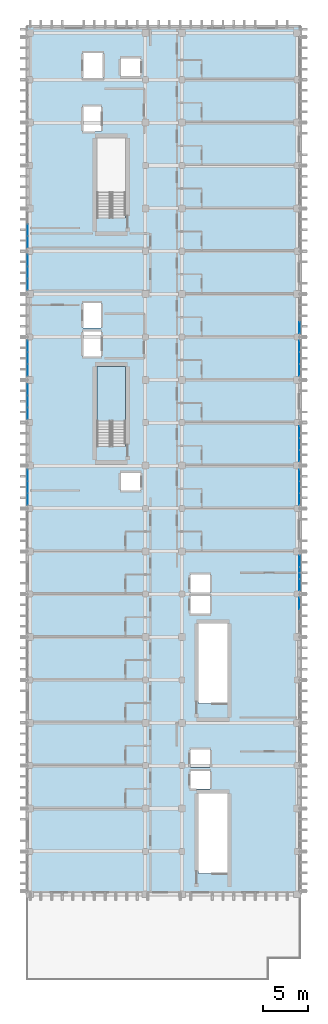
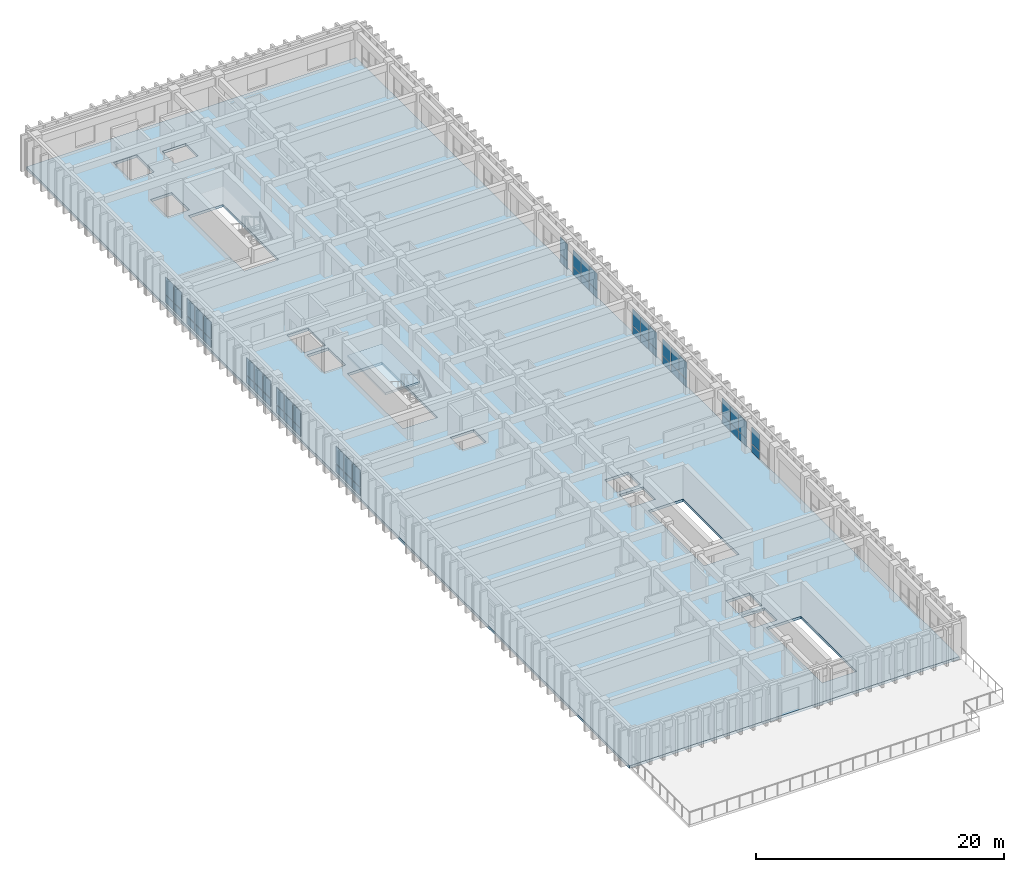
# One storey, part 53 of 68: 56 plates, 2 slabs, 12 elements without a shape of their own.
"""IFC4 building model written with IfcOpenShell, lengths in metres."""

from ifc_helpers import new_model, si_unit, direction, frame, origin, origin_2d, place, context, subcontext, project, spatial, polyline, rectangle, outline, extrude, material, layer, layer_set, type_object, element, aggregate, save


model = new_model("IFC4")

# Units and contexts
model_context = context("Model", 3, precision=1e-05, world=origin(), true_north=direction((0.0, 1.0)))
body_context = subcontext(model_context, "Body", "Model", "MODEL_VIEW")
ifc_project = project(units=[si_unit("LENGTHUNIT", "METRE"), si_unit("AREAUNIT", "SQUARE_METRE"), si_unit("VOLUMEUNIT", "CUBIC_METRE"), si_unit("PLANEANGLEUNIT", "RADIAN"), si_unit("MASSUNIT", "GRAM", prefix="KILO")], contexts=[model_context])

# Site, building, storey
site_placement = place(None, origin())
site = spatial("IfcSite", under=ifc_project, at=site_placement, CompositionType="ELEMENT")
building_placement = place(site_placement, origin())
building = spatial("IfcBuilding", under=site, at=building_placement, Name="Nakhvara Creek Congress Hotel", CompositionType="ELEMENT")
storey_placement = place(building_placement, frame((0.0, 0.0, 24.60009765625)))
storey = spatial("IfcBuildingStorey", under=building, at=storey_placement, Name="L05", CompositionType="ELEMENT", Elevation=24.60009765625)

# Curtain wall, plates
ifc_material_1 = material(Name="Bronze-anodised aluminium AW-6063-T6 and double-silver low-E glass", Category="aluminium")
ifc_layer_1 = layer(ifc_material_1, 0.199951171875)
ifc_layer_set_1 = layer_set([ifc_layer_1], Name="Bronze-anodised aluminium AW-6063-T6 and double-silver low-E glass")
curtain_wall_type = type_object("IfcCurtainWallType", Name="CW-HTL-UNIT", PredefinedType="USERDEFINED", material=ifc_layer_set_1)
curtain_wall_1_placement = place(storey_placement, origin())
curtain_wall_1 = element("IfcCurtainWall", 1, at=curtain_wall_1_placement, inside=storey, type_object=curtain_wall_type, Name="Curtain Wall CW210", ObjectType="UNITISED", PredefinedType="USERDEFINED")
ifc_material_2 = material(Name="Double-silver solar-control low-E insulated glass", Category="glass")
plate_type_1 = type_object("IfcPlateType", Name="PNL-GLZ-120X250", PredefinedType="CURTAIN_PANEL", material=ifc_material_2)
plate_1_placement = place(storey_placement, frame((179.60009765625, 61.35546875, 0.06494140625), z_axis=(0.0, 0.0, 1.0), x_axis=(0.0, -1.0, 0.0)))
plate_1 = element("IfcPlate", 2, at=plate_1_placement, type_object=plate_type_1, Name="CW210 panel 1.1", PredefinedType="CURTAIN_PANEL", context=body_context, shape_type="SweptSolid", body=[
    extrude(rectangle(XDim=1.249267578125, YDim=0.028076171875, at=origin_2d()), origin(), (0.0, 0.0, 1.0), 0.75244140625),
])
plate_2_placement = place(storey_placement, frame((179.60009765625, 61.35546875, 0.88232421875), z_axis=(0.0, 0.0, 1.0), x_axis=(0.0, -1.0, 0.0)))
plate_2 = element("IfcPlate", 3, at=plate_2_placement, type_object=plate_type_1, Name="CW210 panel 1.2", PredefinedType="CURTAIN_PANEL", context=body_context, shape_type="SweptSolid", body=[
    extrude(rectangle(XDim=1.249267578125, YDim=0.028076171875, at=origin_2d()), origin(), (0.0, 0.0, 1.0), 1.634521484375),
])
aggregate(curtain_wall_1, [plate_1, plate_2])

curtain_wall_2_placement = place(storey_placement, origin())
curtain_wall_2 = element("IfcCurtainWall", 4, at=curtain_wall_2_placement, inside=storey, type_object=curtain_wall_type, Name="Curtain Wall CW214", ObjectType="UNITISED", PredefinedType="USERDEFINED")
plate_3_placement = place(storey_placement, frame((179.60009765625, 75.705322265625, 0.06494140625), z_axis=(0.0, 0.0, 1.0), x_axis=(0.0, -1.0, 0.0)))
plate_3 = element("IfcPlate", 5, at=plate_3_placement, type_object=plate_type_1, Name="CW214 panel 1.1", PredefinedType="CURTAIN_PANEL", context=body_context, shape_type="SweptSolid", body=[
    extrude(rectangle(XDim=1.249267578125, YDim=0.028076171875, at=origin_2d()), origin(), (0.0, 0.0, 1.0), 0.75244140625),
])
plate_4_placement = place(storey_placement, frame((179.60009765625, 75.705322265625, 0.88232421875), z_axis=(0.0, 0.0, 1.0), x_axis=(0.0, -1.0, 0.0)))
plate_4 = element("IfcPlate", 6, at=plate_4_placement, type_object=plate_type_1, Name="CW214 panel 1.2", PredefinedType="CURTAIN_PANEL", context=body_context, shape_type="SweptSolid", body=[
    extrude(rectangle(XDim=1.249267578125, YDim=0.028076171875, at=origin_2d()), origin(), (0.0, 0.0, 1.0), 1.634521484375),
])
plate_5_placement = place(storey_placement, frame((179.60009765625, 74.375, 0.06494140625), z_axis=(0.0, 0.0, 1.0), x_axis=(0.0, -1.0, 0.0)))
plate_5 = element("IfcPlate", 7, at=plate_5_placement, type_object=plate_type_1, Name="CW214 panel 2.1", PredefinedType="CURTAIN_PANEL", context=body_context, shape_type="SweptSolid", body=[
    extrude(rectangle(XDim=1.28173828125, YDim=0.028076171875, at=origin_2d()), origin(), (0.0, 0.0, 1.0), 0.75244140625),
])
plate_6_placement = place(storey_placement, frame((179.60009765625, 74.375, 0.88232421875), z_axis=(0.0, 0.0, 1.0), x_axis=(0.0, -1.0, 0.0)))
plate_6 = element("IfcPlate", 8, at=plate_6_placement, type_object=plate_type_1, Name="CW214 panel 2.2", PredefinedType="CURTAIN_PANEL", context=body_context, shape_type="SweptSolid", body=[
    extrude(rectangle(XDim=1.28173828125, YDim=0.028076171875, at=origin_2d()), origin(), (0.0, 0.0, 1.0), 1.634521484375),
])
plate_7_placement = place(storey_placement, frame((179.60009765625, 73.044677734375, 0.06494140625), z_axis=(0.0, 0.0, 1.0), x_axis=(0.0, -1.0, 0.0)))
plate_7 = element("IfcPlate", 9, at=plate_7_placement, type_object=plate_type_1, Name="CW214 panel 3.1", PredefinedType="CURTAIN_PANEL", context=body_context, shape_type="SweptSolid", body=[
    extrude(rectangle(XDim=1.249267578125, YDim=0.028076171875, at=origin_2d()), origin(), (0.0, 0.0, 1.0), 0.75244140625),
])
plate_8_placement = place(storey_placement, frame((179.60009765625, 73.044677734375, 0.88232421875), z_axis=(0.0, 0.0, 1.0), x_axis=(0.0, -1.0, 0.0)))
plate_8 = element("IfcPlate", 10, at=plate_8_placement, type_object=plate_type_1, Name="CW214 panel 3.2", PredefinedType="CURTAIN_PANEL", context=body_context, shape_type="SweptSolid", body=[
    extrude(rectangle(XDim=1.249267578125, YDim=0.028076171875, at=origin_2d()), origin(), (0.0, 0.0, 1.0), 1.634521484375),
])
aggregate(curtain_wall_2, [plate_3, plate_4, plate_5, plate_6, plate_7, plate_8])

curtain_wall_3_placement = place(storey_placement, origin())
curtain_wall_3 = element("IfcCurtainWall", 11, at=curtain_wall_3_placement, inside=storey, type_object=curtain_wall_type, Name="Curtain Wall CW215", ObjectType="UNITISED", PredefinedType="USERDEFINED")
plate_9_placement = place(storey_placement, frame((149.199951171875, 73.044677734375, 0.06494140625), z_axis=(0.0, 0.0, 1.0), x_axis=(0.0, 1.0, 0.0)))
plate_9 = element("IfcPlate", 12, at=plate_9_placement, type_object=plate_type_1, Name="CW215 panel 1.1", PredefinedType="CURTAIN_PANEL", context=body_context, shape_type="SweptSolid", body=[
    extrude(rectangle(XDim=1.249267578125, YDim=0.028076171875, at=origin_2d()), origin(), (0.0, 0.0, 1.0), 0.75244140625),
])
plate_10_placement = place(storey_placement, frame((149.199951171875, 73.044677734375, 0.88232421875), z_axis=(0.0, 0.0, 1.0), x_axis=(0.0, 1.0, 0.0)))
plate_10 = element("IfcPlate", 13, at=plate_10_placement, type_object=plate_type_1, Name="CW215 panel 1.2", PredefinedType="CURTAIN_PANEL", context=body_context, shape_type="SweptSolid", body=[
    extrude(rectangle(XDim=1.249267578125, YDim=0.028076171875, at=origin_2d()), origin(), (0.0, 0.0, 1.0), 1.6845703125),
])
plate_11_placement = place(storey_placement, frame((149.199951171875, 74.375, 0.06494140625), z_axis=(0.0, 0.0, 1.0), x_axis=(0.0, 1.0, 0.0)))
plate_11 = element("IfcPlate", 14, at=plate_11_placement, type_object=plate_type_1, Name="CW215 panel 2.1", PredefinedType="CURTAIN_PANEL", context=body_context, shape_type="SweptSolid", body=[
    extrude(rectangle(XDim=1.28173828125, YDim=0.028076171875, at=origin_2d()), origin(), (0.0, 0.0, 1.0), 0.75244140625),
])
plate_12_placement = place(storey_placement, frame((149.199951171875, 74.375, 0.88232421875), z_axis=(0.0, 0.0, 1.0), x_axis=(0.0, 1.0, 0.0)))
plate_12 = element("IfcPlate", 15, at=plate_12_placement, type_object=plate_type_1, Name="CW215 panel 2.2", PredefinedType="CURTAIN_PANEL", context=body_context, shape_type="SweptSolid", body=[
    extrude(rectangle(XDim=1.28173828125, YDim=0.028076171875, at=origin_2d()), origin(), (0.0, 0.0, 1.0), 1.6845703125),
])
plate_13_placement = place(storey_placement, frame((149.199951171875, 75.705322265625, 0.06494140625), z_axis=(0.0, 0.0, 1.0), x_axis=(0.0, 1.0, 0.0)))
plate_13 = element("IfcPlate", 16, at=plate_13_placement, type_object=plate_type_1, Name="CW215 panel 3.1", PredefinedType="CURTAIN_PANEL", context=body_context, shape_type="SweptSolid", body=[
    extrude(rectangle(XDim=1.249267578125, YDim=0.028076171875, at=origin_2d()), origin(), (0.0, 0.0, 1.0), 0.75244140625),
])
plate_14_placement = place(storey_placement, frame((149.199951171875, 75.705322265625, 0.88232421875), z_axis=(0.0, 0.0, 1.0), x_axis=(0.0, 1.0, 0.0)))
plate_14 = element("IfcPlate", 17, at=plate_14_placement, type_object=plate_type_1, Name="CW215 panel 3.2", PredefinedType="CURTAIN_PANEL", context=body_context, shape_type="SweptSolid", body=[
    extrude(rectangle(XDim=1.249267578125, YDim=0.028076171875, at=origin_2d()), origin(), (0.0, 0.0, 1.0), 1.6845703125),
])
aggregate(curtain_wall_3, [plate_9, plate_10, plate_11, plate_12, plate_13, plate_14])

curtain_wall_4_placement = place(storey_placement, origin())
curtain_wall_4 = element("IfcCurtainWall", 18, at=curtain_wall_4_placement, inside=storey, type_object=curtain_wall_type, Name="Curtain Wall CW216", ObjectType="UNITISED", PredefinedType="USERDEFINED")
plate_15_placement = place(storey_placement, frame((179.60009765625, 80.555419921875, 0.06494140625), z_axis=(0.0, 0.0, 1.0), x_axis=(0.0, -1.0, 0.0)))
plate_15 = element("IfcPlate", 19, at=plate_15_placement, type_object=plate_type_1, Name="CW216 panel 1.1", PredefinedType="CURTAIN_PANEL", context=body_context, shape_type="SweptSolid", body=[
    extrude(rectangle(XDim=1.249267578125, YDim=0.028076171875, at=origin_2d()), origin(), (0.0, 0.0, 1.0), 0.75244140625),
])
plate_16_placement = place(storey_placement, frame((179.60009765625, 80.555419921875, 0.88232421875), z_axis=(0.0, 0.0, 1.0), x_axis=(0.0, -1.0, 0.0)))
plate_16 = element("IfcPlate", 20, at=plate_16_placement, type_object=plate_type_1, Name="CW216 panel 1.2", PredefinedType="CURTAIN_PANEL", context=body_context, shape_type="SweptSolid", body=[
    extrude(rectangle(XDim=1.249267578125, YDim=0.028076171875, at=origin_2d()), origin(), (0.0, 0.0, 1.0), 1.634521484375),
])
plate_17_placement = place(storey_placement, frame((179.60009765625, 79.22509765625, 0.06494140625), z_axis=(0.0, 0.0, 1.0), x_axis=(0.0, -1.0, 0.0)))
plate_17 = element("IfcPlate", 21, at=plate_17_placement, type_object=plate_type_1, Name="CW216 panel 2.1", PredefinedType="CURTAIN_PANEL", context=body_context, shape_type="SweptSolid", body=[
    extrude(rectangle(XDim=1.28173828125, YDim=0.028076171875, at=origin_2d()), origin(), (0.0, 0.0, 1.0), 0.75244140625),
])
plate_18_placement = place(storey_placement, frame((179.60009765625, 79.22509765625, 0.88232421875), z_axis=(0.0, 0.0, 1.0), x_axis=(0.0, -1.0, 0.0)))
plate_18 = element("IfcPlate", 22, at=plate_18_placement, type_object=plate_type_1, Name="CW216 panel 2.2", PredefinedType="CURTAIN_PANEL", context=body_context, shape_type="SweptSolid", body=[
    extrude(rectangle(XDim=1.28173828125, YDim=0.028076171875, at=origin_2d()), origin(), (0.0, 0.0, 1.0), 1.634521484375),
])
plate_19_placement = place(storey_placement, frame((179.60009765625, 77.89453125, 0.06494140625), z_axis=(0.0, 0.0, 1.0), x_axis=(0.0, -1.0, 0.0)))
plate_19 = element("IfcPlate", 23, at=plate_19_placement, type_object=plate_type_1, Name="CW216 panel 3.1", PredefinedType="CURTAIN_PANEL", context=body_context, shape_type="SweptSolid", body=[
    extrude(rectangle(XDim=1.249267578125, YDim=0.028076171875, at=origin_2d()), origin(), (0.0, 0.0, 1.0), 0.75244140625),
])
plate_20_placement = place(storey_placement, frame((179.60009765625, 77.89453125, 0.88232421875), z_axis=(0.0, 0.0, 1.0), x_axis=(0.0, -1.0, 0.0)))
plate_20 = element("IfcPlate", 24, at=plate_20_placement, type_object=plate_type_1, Name="CW216 panel 3.2", PredefinedType="CURTAIN_PANEL", context=body_context, shape_type="SweptSolid", body=[
    extrude(rectangle(XDim=1.249267578125, YDim=0.028076171875, at=origin_2d()), origin(), (0.0, 0.0, 1.0), 1.634521484375),
])
aggregate(curtain_wall_4, [plate_15, plate_16, plate_17, plate_18, plate_19, plate_20])

curtain_wall_5_placement = place(storey_placement, origin())
curtain_wall_5 = element("IfcCurtainWall", 25, at=curtain_wall_5_placement, inside=storey, type_object=curtain_wall_type, Name="Curtain Wall CW217", ObjectType="UNITISED", PredefinedType="USERDEFINED")
plate_21_placement = place(storey_placement, frame((149.199951171875, 82.64453125, 0.06494140625), z_axis=(0.0, 0.0, 1.0), x_axis=(0.0, 1.0, 0.0)))
plate_21 = element("IfcPlate", 26, at=plate_21_placement, type_object=plate_type_1, Name="CW217 panel 1.1", PredefinedType="CURTAIN_PANEL", context=body_context, shape_type="SweptSolid", body=[
    extrude(rectangle(XDim=1.249267578125, YDim=0.028076171875, at=origin_2d()), origin(), (0.0, 0.0, 1.0), 0.75244140625),
])
plate_22_placement = place(storey_placement, frame((149.199951171875, 82.64453125, 0.88232421875), z_axis=(0.0, 0.0, 1.0), x_axis=(0.0, 1.0, 0.0)))
plate_22 = element("IfcPlate", 27, at=plate_22_placement, type_object=plate_type_1, Name="CW217 panel 1.2", PredefinedType="CURTAIN_PANEL", context=body_context, shape_type="SweptSolid", body=[
    extrude(rectangle(XDim=1.249267578125, YDim=0.028076171875, at=origin_2d()), origin(), (0.0, 0.0, 1.0), 1.6845703125),
])
plate_23_placement = place(storey_placement, frame((149.199951171875, 83.97509765625, 0.06494140625), z_axis=(0.0, 0.0, 1.0), x_axis=(0.0, 1.0, 0.0)))
plate_23 = element("IfcPlate", 28, at=plate_23_placement, type_object=plate_type_1, Name="CW217 panel 2.1", PredefinedType="CURTAIN_PANEL", context=body_context, shape_type="SweptSolid", body=[
    extrude(rectangle(XDim=1.28173828125, YDim=0.028076171875, at=origin_2d()), origin(), (0.0, 0.0, 1.0), 0.75244140625),
])
plate_24_placement = place(storey_placement, frame((149.199951171875, 83.97509765625, 0.88232421875), z_axis=(0.0, 0.0, 1.0), x_axis=(0.0, 1.0, 0.0)))
plate_24 = element("IfcPlate", 29, at=plate_24_placement, type_object=plate_type_1, Name="CW217 panel 2.2", PredefinedType="CURTAIN_PANEL", context=body_context, shape_type="SweptSolid", body=[
    extrude(rectangle(XDim=1.28173828125, YDim=0.028076171875, at=origin_2d()), origin(), (0.0, 0.0, 1.0), 1.6845703125),
])
plate_25_placement = place(storey_placement, frame((149.199951171875, 85.305419921875, 0.06494140625), z_axis=(0.0, 0.0, 1.0), x_axis=(0.0, 1.0, 0.0)))
plate_25 = element("IfcPlate", 30, at=plate_25_placement, type_object=plate_type_1, Name="CW217 panel 3.1", PredefinedType="CURTAIN_PANEL", context=body_context, shape_type="SweptSolid", body=[
    extrude(rectangle(XDim=1.249267578125, YDim=0.028076171875, at=origin_2d()), origin(), (0.0, 0.0, 1.0), 0.75244140625),
])
plate_26_placement = place(storey_placement, frame((149.199951171875, 85.305419921875, 0.88232421875), z_axis=(0.0, 0.0, 1.0), x_axis=(0.0, 1.0, 0.0)))
plate_26 = element("IfcPlate", 31, at=plate_26_placement, type_object=plate_type_1, Name="CW217 panel 3.2", PredefinedType="CURTAIN_PANEL", context=body_context, shape_type="SweptSolid", body=[
    extrude(rectangle(XDim=1.249267578125, YDim=0.028076171875, at=origin_2d()), origin(), (0.0, 0.0, 1.0), 1.6845703125),
])
aggregate(curtain_wall_5, [plate_21, plate_22, plate_23, plate_24, plate_25, plate_26])

curtain_wall_6_placement = place(storey_placement, origin())
curtain_wall_6 = element("IfcCurtainWall", 32, at=curtain_wall_6_placement, inside=storey, type_object=curtain_wall_type, Name="Curtain Wall CW218", ObjectType="UNITISED", PredefinedType="USERDEFINED")
plate_27_placement = place(storey_placement, frame((179.60009765625, 90.155517578125, 0.06494140625), z_axis=(0.0, 0.0, 1.0), x_axis=(0.0, -1.0, 0.0)))
plate_27 = element("IfcPlate", 33, at=plate_27_placement, type_object=plate_type_1, Name="CW218 panel 1.1", PredefinedType="CURTAIN_PANEL", context=body_context, shape_type="SweptSolid", body=[
    extrude(rectangle(XDim=1.249267578125, YDim=0.028076171875, at=origin_2d()), origin(), (0.0, 0.0, 1.0), 0.75244140625),
])
plate_28_placement = place(storey_placement, frame((179.60009765625, 90.155517578125, 0.88232421875), z_axis=(0.0, 0.0, 1.0), x_axis=(0.0, -1.0, 0.0)))
plate_28 = element("IfcPlate", 34, at=plate_28_placement, type_object=plate_type_1, Name="CW218 panel 1.2", PredefinedType="CURTAIN_PANEL", context=body_context, shape_type="SweptSolid", body=[
    extrude(rectangle(XDim=1.249267578125, YDim=0.028076171875, at=origin_2d()), origin(), (0.0, 0.0, 1.0), 1.634521484375),
])
plate_29_placement = place(storey_placement, frame((179.60009765625, 88.824951171875, 0.06494140625), z_axis=(0.0, 0.0, 1.0), x_axis=(0.0, -1.0, 0.0)))
plate_29 = element("IfcPlate", 35, at=plate_29_placement, type_object=plate_type_1, Name="CW218 panel 2.1", PredefinedType="CURTAIN_PANEL", context=body_context, shape_type="SweptSolid", body=[
    extrude(rectangle(XDim=1.28173828125, YDim=0.028076171875, at=origin_2d()), origin(), (0.0, 0.0, 1.0), 0.75244140625),
])
plate_30_placement = place(storey_placement, frame((179.60009765625, 88.824951171875, 0.88232421875), z_axis=(0.0, 0.0, 1.0), x_axis=(0.0, -1.0, 0.0)))
plate_30 = element("IfcPlate", 36, at=plate_30_placement, type_object=plate_type_1, Name="CW218 panel 2.2", PredefinedType="CURTAIN_PANEL", context=body_context, shape_type="SweptSolid", body=[
    extrude(rectangle(XDim=1.28173828125, YDim=0.028076171875, at=origin_2d()), origin(), (0.0, 0.0, 1.0), 1.634521484375),
])
plate_31_placement = place(storey_placement, frame((179.60009765625, 87.49462890625, 0.06494140625), z_axis=(0.0, 0.0, 1.0), x_axis=(0.0, -1.0, 0.0)))
plate_31 = element("IfcPlate", 37, at=plate_31_placement, type_object=plate_type_1, Name="CW218 panel 3.1", PredefinedType="CURTAIN_PANEL", context=body_context, shape_type="SweptSolid", body=[
    extrude(rectangle(XDim=1.249267578125, YDim=0.028076171875, at=origin_2d()), origin(), (0.0, 0.0, 1.0), 0.75244140625),
])
plate_32_placement = place(storey_placement, frame((179.60009765625, 87.49462890625, 0.88232421875), z_axis=(0.0, 0.0, 1.0), x_axis=(0.0, -1.0, 0.0)))
plate_32 = element("IfcPlate", 38, at=plate_32_placement, type_object=plate_type_1, Name="CW218 panel 3.2", PredefinedType="CURTAIN_PANEL", context=body_context, shape_type="SweptSolid", body=[
    extrude(rectangle(XDim=1.249267578125, YDim=0.028076171875, at=origin_2d()), origin(), (0.0, 0.0, 1.0), 1.634521484375),
])
aggregate(curtain_wall_6, [plate_27, plate_28, plate_29, plate_30, plate_31, plate_32])

curtain_wall_7_placement = place(storey_placement, origin())
curtain_wall_7 = element("IfcCurtainWall", 39, at=curtain_wall_7_placement, inside=storey, type_object=curtain_wall_type, Name="Curtain Wall CW219", ObjectType="UNITISED", PredefinedType="USERDEFINED")
plate_33_placement = place(storey_placement, frame((149.199951171875, 87.49462890625, 0.06494140625), z_axis=(0.0, 0.0, 1.0), x_axis=(0.0, 1.0, 0.0)))
plate_33 = element("IfcPlate", 40, at=plate_33_placement, type_object=plate_type_1, Name="CW219 panel 1.1", PredefinedType="CURTAIN_PANEL", context=body_context, shape_type="SweptSolid", body=[
    extrude(rectangle(XDim=1.249267578125, YDim=0.028076171875, at=origin_2d()), origin(), (0.0, 0.0, 1.0), 0.75244140625),
])
plate_34_placement = place(storey_placement, frame((149.199951171875, 87.49462890625, 0.88232421875), z_axis=(0.0, 0.0, 1.0), x_axis=(0.0, 1.0, 0.0)))
plate_34 = element("IfcPlate", 41, at=plate_34_placement, type_object=plate_type_1, Name="CW219 panel 1.2", PredefinedType="CURTAIN_PANEL", context=body_context, shape_type="SweptSolid", body=[
    extrude(rectangle(XDim=1.249267578125, YDim=0.028076171875, at=origin_2d()), origin(), (0.0, 0.0, 1.0), 1.6845703125),
])
plate_35_placement = place(storey_placement, frame((149.199951171875, 88.824951171875, 0.06494140625), z_axis=(0.0, 0.0, 1.0), x_axis=(0.0, 1.0, 0.0)))
plate_35 = element("IfcPlate", 42, at=plate_35_placement, type_object=plate_type_1, Name="CW219 panel 2.1", PredefinedType="CURTAIN_PANEL", context=body_context, shape_type="SweptSolid", body=[
    extrude(rectangle(XDim=1.28173828125, YDim=0.028076171875, at=origin_2d()), origin(), (0.0, 0.0, 1.0), 0.75244140625),
])
plate_36_placement = place(storey_placement, frame((149.199951171875, 88.824951171875, 0.88232421875), z_axis=(0.0, 0.0, 1.0), x_axis=(0.0, 1.0, 0.0)))
plate_36 = element("IfcPlate", 43, at=plate_36_placement, type_object=plate_type_1, Name="CW219 panel 2.2", PredefinedType="CURTAIN_PANEL", context=body_context, shape_type="SweptSolid", body=[
    extrude(rectangle(XDim=1.28173828125, YDim=0.028076171875, at=origin_2d()), origin(), (0.0, 0.0, 1.0), 1.6845703125),
])
plate_37_placement = place(storey_placement, frame((149.199951171875, 90.155517578125, 0.06494140625), z_axis=(0.0, 0.0, 1.0), x_axis=(0.0, 1.0, 0.0)))
plate_37 = element("IfcPlate", 44, at=plate_37_placement, type_object=plate_type_1, Name="CW219 panel 3.1", PredefinedType="CURTAIN_PANEL", context=body_context, shape_type="SweptSolid", body=[
    extrude(rectangle(XDim=1.249267578125, YDim=0.028076171875, at=origin_2d()), origin(), (0.0, 0.0, 1.0), 0.75244140625),
])
plate_38_placement = place(storey_placement, frame((149.199951171875, 90.155517578125, 0.88232421875), z_axis=(0.0, 0.0, 1.0), x_axis=(0.0, 1.0, 0.0)))
plate_38 = element("IfcPlate", 45, at=plate_38_placement, type_object=plate_type_1, Name="CW219 panel 3.2", PredefinedType="CURTAIN_PANEL", context=body_context, shape_type="SweptSolid", body=[
    extrude(rectangle(XDim=1.249267578125, YDim=0.028076171875, at=origin_2d()), origin(), (0.0, 0.0, 1.0), 1.6845703125),
])
aggregate(curtain_wall_7, [plate_33, plate_34, plate_35, plate_36, plate_37, plate_38])

curtain_wall_8_placement = place(storey_placement, origin())
curtain_wall_8 = element("IfcCurtainWall", 46, at=curtain_wall_8_placement, inside=storey, type_object=curtain_wall_type, Name="Curtain Wall CW221", ObjectType="UNITISED", PredefinedType="USERDEFINED")
plate_39_placement = place(storey_placement, frame((149.199951171875, 97.094482421875, 0.06494140625), z_axis=(0.0, 0.0, 1.0), x_axis=(0.0, 1.0, 0.0)))
plate_39 = element("IfcPlate", 47, at=plate_39_placement, type_object=plate_type_1, Name="CW221 panel 1.1", PredefinedType="CURTAIN_PANEL", context=body_context, shape_type="SweptSolid", body=[
    extrude(rectangle(XDim=1.249267578125, YDim=0.028076171875, at=origin_2d()), origin(), (0.0, 0.0, 1.0), 0.75244140625),
])
plate_40_placement = place(storey_placement, frame((149.199951171875, 97.094482421875, 0.88232421875), z_axis=(0.0, 0.0, 1.0), x_axis=(0.0, 1.0, 0.0)))
plate_40 = element("IfcPlate", 48, at=plate_40_placement, type_object=plate_type_1, Name="CW221 panel 1.2", PredefinedType="CURTAIN_PANEL", context=body_context, shape_type="SweptSolid", body=[
    extrude(rectangle(XDim=1.249267578125, YDim=0.028076171875, at=origin_2d()), origin(), (0.0, 0.0, 1.0), 1.6845703125),
])
plate_41_placement = place(storey_placement, frame((149.199951171875, 98.425048828125, 0.06494140625), z_axis=(0.0, 0.0, 1.0), x_axis=(0.0, 1.0, 0.0)))
plate_41 = element("IfcPlate", 49, at=plate_41_placement, type_object=plate_type_1, Name="CW221 panel 2.1", PredefinedType="CURTAIN_PANEL", context=body_context, shape_type="SweptSolid", body=[
    extrude(rectangle(XDim=1.28173828125, YDim=0.028076171875, at=origin_2d()), origin(), (0.0, 0.0, 1.0), 0.75244140625),
])
plate_42_placement = place(storey_placement, frame((149.199951171875, 98.425048828125, 0.88232421875), z_axis=(0.0, 0.0, 1.0), x_axis=(0.0, 1.0, 0.0)))
plate_42 = element("IfcPlate", 50, at=plate_42_placement, type_object=plate_type_1, Name="CW221 panel 2.2", PredefinedType="CURTAIN_PANEL", context=body_context, shape_type="SweptSolid", body=[
    extrude(rectangle(XDim=1.28173828125, YDim=0.028076171875, at=origin_2d()), origin(), (0.0, 0.0, 1.0), 1.6845703125),
])
plate_43_placement = place(storey_placement, frame((149.199951171875, 99.75537109375, 0.06494140625), z_axis=(0.0, 0.0, 1.0), x_axis=(0.0, 1.0, 0.0)))
plate_43 = element("IfcPlate", 51, at=plate_43_placement, type_object=plate_type_1, Name="CW221 panel 3.1", PredefinedType="CURTAIN_PANEL", context=body_context, shape_type="SweptSolid", body=[
    extrude(rectangle(XDim=1.249267578125, YDim=0.028076171875, at=origin_2d()), origin(), (0.0, 0.0, 1.0), 0.75244140625),
])
plate_44_placement = place(storey_placement, frame((149.199951171875, 99.75537109375, 0.88232421875), z_axis=(0.0, 0.0, 1.0), x_axis=(0.0, 1.0, 0.0)))
plate_44 = element("IfcPlate", 52, at=plate_44_placement, type_object=plate_type_1, Name="CW221 panel 3.2", PredefinedType="CURTAIN_PANEL", context=body_context, shape_type="SweptSolid", body=[
    extrude(rectangle(XDim=1.249267578125, YDim=0.028076171875, at=origin_2d()), origin(), (0.0, 0.0, 1.0), 1.6845703125),
])
aggregate(curtain_wall_8, [plate_39, plate_40, plate_41, plate_42, plate_43, plate_44])

curtain_wall_9_placement = place(storey_placement, origin())
curtain_wall_9 = element("IfcCurtainWall", 53, at=curtain_wall_9_placement, inside=storey, type_object=curtain_wall_type, Name="Curtain Wall CW223", ObjectType="UNITISED", PredefinedType="USERDEFINED")
plate_45_placement = place(storey_placement, frame((149.199951171875, 101.844482421875, 0.06494140625), z_axis=(0.0, 0.0, 1.0), x_axis=(0.0, 1.0, 0.0)))
plate_45 = element("IfcPlate", 54, at=plate_45_placement, type_object=plate_type_1, Name="CW223 panel 1.1", PredefinedType="CURTAIN_PANEL", context=body_context, shape_type="SweptSolid", body=[
    extrude(rectangle(XDim=1.249267578125, YDim=0.028076171875, at=origin_2d()), origin(), (0.0, 0.0, 1.0), 0.75244140625),
])
plate_46_placement = place(storey_placement, frame((149.199951171875, 101.844482421875, 0.88232421875), z_axis=(0.0, 0.0, 1.0), x_axis=(0.0, 1.0, 0.0)))
plate_46 = element("IfcPlate", 55, at=plate_46_placement, type_object=plate_type_1, Name="CW223 panel 1.2", PredefinedType="CURTAIN_PANEL", context=body_context, shape_type="SweptSolid", body=[
    extrude(rectangle(XDim=1.249267578125, YDim=0.028076171875, at=origin_2d()), origin(), (0.0, 0.0, 1.0), 1.6845703125),
])
plate_47_placement = place(storey_placement, frame((149.199951171875, 103.175048828125, 0.06494140625), z_axis=(0.0, 0.0, 1.0), x_axis=(0.0, 1.0, 0.0)))
plate_47 = element("IfcPlate", 56, at=plate_47_placement, type_object=plate_type_1, Name="CW223 panel 2.1", PredefinedType="CURTAIN_PANEL", context=body_context, shape_type="SweptSolid", body=[
    extrude(rectangle(XDim=1.28173828125, YDim=0.028076171875, at=origin_2d()), origin(), (0.0, 0.0, 1.0), 0.75244140625),
])
plate_48_placement = place(storey_placement, frame((149.199951171875, 103.175048828125, 0.88232421875), z_axis=(0.0, 0.0, 1.0), x_axis=(0.0, 1.0, 0.0)))
plate_48 = element("IfcPlate", 57, at=plate_48_placement, type_object=plate_type_1, Name="CW223 panel 2.2", PredefinedType="CURTAIN_PANEL", context=body_context, shape_type="SweptSolid", body=[
    extrude(rectangle(XDim=1.28173828125, YDim=0.028076171875, at=origin_2d()), origin(), (0.0, 0.0, 1.0), 1.6845703125),
])
aggregate(curtain_wall_9, [plate_45, plate_46, plate_47, plate_48])

curtain_wall_10_placement = place(storey_placement, origin())
curtain_wall_10 = element("IfcCurtainWall", 58, at=curtain_wall_10_placement, inside=storey, type_object=curtain_wall_type, Name="Curtain Wall CW212", ObjectType="UNITISED", PredefinedType="USERDEFINED")
ifc_material_3 = material(Name="Back-insulated bronze spandrel glass panel", Category="glass")
plate_type_2 = type_object("IfcPlateType", Name="PNL-SPN-120X080", PredefinedType="CURTAIN_PANEL", material=ifc_material_3)
plate_49_placement = place(storey_placement, frame((179.60009765625, 66.10546875, 0.06494140625), z_axis=(0.0, 0.0, 1.0), x_axis=(0.0, -1.0, 0.0)))
plate_49 = element("IfcPlate", 59, at=plate_49_placement, type_object=plate_type_2, Name="CW212 panel 1.1", PredefinedType="CURTAIN_PANEL", context=body_context, shape_type="SweptSolid", body=[
    extrude(rectangle(XDim=1.249267578125, YDim=0.0419921875, at=origin_2d()), origin(), (0.0, 0.0, 1.0), 0.75244140625),
])
plate_50_placement = place(storey_placement, frame((179.60009765625, 66.10546875, 0.88232421875), z_axis=(0.0, 0.0, 1.0), x_axis=(0.0, -1.0, 0.0)))
plate_50 = element("IfcPlate", 60, at=plate_50_placement, type_object=plate_type_2, Name="CW212 panel 1.2", PredefinedType="CURTAIN_PANEL", context=body_context, shape_type="SweptSolid", body=[
    extrude(rectangle(XDim=1.249267578125, YDim=0.0419921875, at=origin_2d()), origin(), (0.0, 0.0, 1.0), 1.634521484375),
])
plate_51_placement = place(storey_placement, frame((179.60009765625, 64.77490234375, 0.06494140625), z_axis=(0.0, 0.0, 1.0), x_axis=(0.0, -1.0, 0.0)))
plate_51 = element("IfcPlate", 61, at=plate_51_placement, type_object=plate_type_2, Name="CW212 panel 2.1", PredefinedType="CURTAIN_PANEL", context=body_context, shape_type="SweptSolid", body=[
    extrude(rectangle(XDim=1.28173828125, YDim=0.0419921875, at=origin_2d()), origin(), (0.0, 0.0, 1.0), 0.75244140625),
])
plate_52_placement = place(storey_placement, frame((179.60009765625, 64.77490234375, 0.88232421875), z_axis=(0.0, 0.0, 1.0), x_axis=(0.0, -1.0, 0.0)))
plate_52 = element("IfcPlate", 62, at=plate_52_placement, type_object=plate_type_2, Name="CW212 panel 2.2", PredefinedType="CURTAIN_PANEL", context=body_context, shape_type="SweptSolid", body=[
    extrude(rectangle(XDim=1.28173828125, YDim=0.0419921875, at=origin_2d()), origin(), (0.0, 0.0, 1.0), 1.634521484375),
])
plate_53_placement = place(storey_placement, frame((179.60009765625, 63.444580078125, 0.06494140625), z_axis=(0.0, 0.0, 1.0), x_axis=(0.0, -1.0, 0.0)))
plate_53 = element("IfcPlate", 63, at=plate_53_placement, type_object=plate_type_2, Name="CW212 panel 3.1", PredefinedType="CURTAIN_PANEL", context=body_context, shape_type="SweptSolid", body=[
    extrude(rectangle(XDim=1.249267578125, YDim=0.0419921875, at=origin_2d()), origin(), (0.0, 0.0, 1.0), 0.75244140625),
])
plate_54_placement = place(storey_placement, frame((179.60009765625, 63.444580078125, 0.88232421875), z_axis=(0.0, 0.0, 1.0), x_axis=(0.0, -1.0, 0.0)))
plate_54 = element("IfcPlate", 64, at=plate_54_placement, type_object=plate_type_2, Name="CW212 panel 3.2", PredefinedType="CURTAIN_PANEL", context=body_context, shape_type="SweptSolid", body=[
    extrude(rectangle(XDim=1.249267578125, YDim=0.0419921875, at=origin_2d()), origin(), (0.0, 0.0, 1.0), 1.634521484375),
])
aggregate(curtain_wall_10, [plate_49, plate_50, plate_51, plate_52, plate_53, plate_54])

curtain_wall_11_placement = place(storey_placement, origin())
curtain_wall_11 = element("IfcCurtainWall", 65, at=curtain_wall_11_placement, inside=storey, type_object=curtain_wall_type, Name="Curtain Wall CW220", ObjectType="UNITISED", PredefinedType="USERDEFINED")
plate_55_placement = place(storey_placement, frame((179.60009765625, 92.24462890625, 0.06494140625), z_axis=(0.0, 0.0, 1.0), x_axis=(0.0, -1.0, 0.0)))
plate_55 = element("IfcPlate", 66, at=plate_55_placement, type_object=plate_type_2, Name="CW220 panel 3.1", PredefinedType="CURTAIN_PANEL", context=body_context, shape_type="SweptSolid", body=[
    extrude(rectangle(XDim=1.249267578125, YDim=0.0419921875, at=origin_2d()), origin(), (0.0, 0.0, 1.0), 0.75244140625),
])
plate_56_placement = place(storey_placement, frame((179.60009765625, 92.24462890625, 0.88232421875), z_axis=(0.0, 0.0, 1.0), x_axis=(0.0, -1.0, 0.0)))
plate_56 = element("IfcPlate", 67, at=plate_56_placement, type_object=plate_type_2, Name="CW220 panel 3.2", PredefinedType="CURTAIN_PANEL", context=body_context, shape_type="SweptSolid", body=[
    extrude(rectangle(XDim=1.249267578125, YDim=0.0419921875, at=origin_2d()), origin(), (0.0, 0.0, 1.0), 1.634521484375),
])
aggregate(curtain_wall_11, [plate_55, plate_56])

# Slab
ifc_material_4 = material(Name="Concrete C40/50", Category="concrete")
ifc_layer_2 = layer(ifc_material_4, 0.260009765625)
ifc_layer_set_2 = layer_set([ifc_layer_2], Name="Concrete C40/50")
slab_type_1 = type_object("IfcSlabType", Name="SL-FLR-260", PredefinedType="FLOOR", material=ifc_layer_set_2)
slab_1_placement = place(storey_placement, frame((0.0, 0.0, -0.260009765625)))
element("IfcSlab", 68, at=slab_1_placement, inside=storey, type_object=slab_type_1, Name="Structural Slab SLB-L05-V5", PredefinedType="FLOOR", context=body_context, shape_type="SweptSolid", body=[
    extrude(outline(polyline([(149.050048828125, 126.0), (179.75, 126.0), (179.75, 28.800048828125), (149.050048828125, 28.800048828125), (149.050048828125, 126.0)]), holes=[polyline([(161.800048828125, 74.0), (161.800048828125, 76.0), (159.60009765625, 76.0), (159.60009765625, 74.0), (161.800048828125, 74.0)]), polyline([(160.14990234375, 78.93994140625), (160.14990234375, 87.89990234375), (156.919921875, 87.89990234375), (156.919921875, 78.93994140625), (160.14990234375, 78.93994140625)]), polyline([(155.39990234375, 89.0), (157.39990234375, 89.0), (157.39990234375, 91.800048828125), (155.39990234375, 91.800048828125), (155.39990234375, 89.0)]), polyline([(155.39990234375, 92.199951171875), (157.39990234375, 92.199951171875), (157.39990234375, 95.0), (155.39990234375, 95.0), (155.39990234375, 92.199951171875)]), polyline([(160.14990234375, 104.5400390625), (160.14990234375, 113.5), (156.919921875, 113.5), (156.919921875, 104.5400390625), (160.14990234375, 104.5400390625)]), polyline([(155.39990234375, 114.199951171875), (157.39990234375, 114.199951171875), (157.39990234375, 117.0), (155.39990234375, 117.0), (155.39990234375, 114.199951171875)]), polyline([(155.39990234375, 120.199951171875), (157.60009765625, 120.199951171875), (157.60009765625, 123.0), (155.39990234375, 123.0), (155.39990234375, 120.199951171875)]), polyline([(171.550048828125, 40.10009765625), (168.320068359375, 40.10009765625), (168.320068359375, 31.139892578125), (171.550048828125, 31.139892578125), (171.550048828125, 40.10009765625)]), polyline([(167.39990234375, 40.60009765625), (169.60009765625, 40.60009765625), (169.60009765625, 42.60009765625), (167.39990234375, 42.60009765625), (167.39990234375, 40.60009765625)]), polyline([(167.39990234375, 43.0), (169.60009765625, 43.0), (169.60009765625, 45.0), (167.39990234375, 45.0), (167.39990234375, 43.0)]), polyline([(171.550048828125, 50.139892578125), (171.550048828125, 59.10009765625), (168.320068359375, 59.10009765625), (168.320068359375, 50.139892578125), (171.550048828125, 50.139892578125)]), polyline([(167.39990234375, 60.199951171875), (169.60009765625, 60.199951171875), (169.60009765625, 62.199951171875), (167.39990234375, 62.199951171875), (167.39990234375, 60.199951171875)]), polyline([(167.39990234375, 62.60009765625), (169.60009765625, 62.60009765625), (169.60009765625, 64.60009765625), (167.39990234375, 64.60009765625), (167.39990234375, 62.60009765625)]), polyline([(159.60009765625, 120.39990234375), (161.800048828125, 120.39990234375), (161.800048828125, 122.39990234375), (159.60009765625, 122.39990234375), (159.60009765625, 120.39990234375)])]), origin(), (0.0, 0.0, 1.0), 0.260009765625),
])

# Stair, slab
stair_type = type_object("IfcStairType", Name="ST-CORE-160", PredefinedType="HALF_TURN_STAIR", material=ifc_material_4)
stair_placement = place(storey_placement, origin())
stair = element("IfcStair", 69, at=stair_placement, inside=storey, type_object=stair_type, Name="L05 Protected Exit Stair ST01", PredefinedType="HALF_TURN_STAIR")
ifc_layer_3 = layer(ifc_material_4, 0.199951171875)
ifc_layer_set_3 = layer_set([ifc_layer_3], Name="Concrete C40/50")
slab_type_2 = type_object("IfcSlabType", Name="SL-LAND-200", PredefinedType="LANDING", material=ifc_layer_set_3)
slab_2_placement = place(storey_placement, frame((0.0, 0.0, 1.599853515625)))
slab_2 = element("IfcSlab", 70, at=slab_2_placement, type_object=slab_type_2, Name="ST01 landing 1", PredefinedType="LANDING", context=body_context, shape_type="SweptSolid", body=[
    extrude(outline(polyline([(160.14990234375, 81.77490234375), (160.14990234375, 87.89990234375), (156.919921875, 87.89990234375), (156.919921875, 81.77490234375), (160.14990234375, 81.77490234375)])), origin(), (0.0, 0.0, 1.0), 0.199951171875),
])
aggregate(stair, [slab_2])

save(model, "model.ifc")
